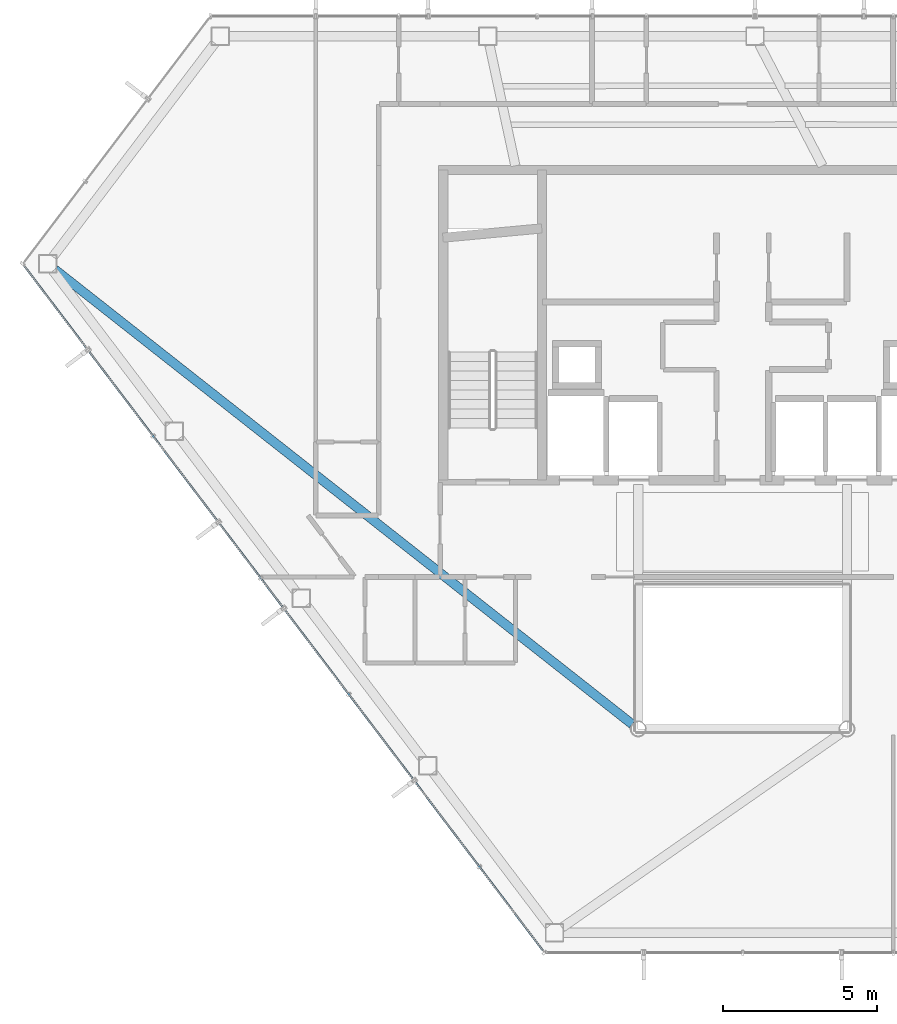
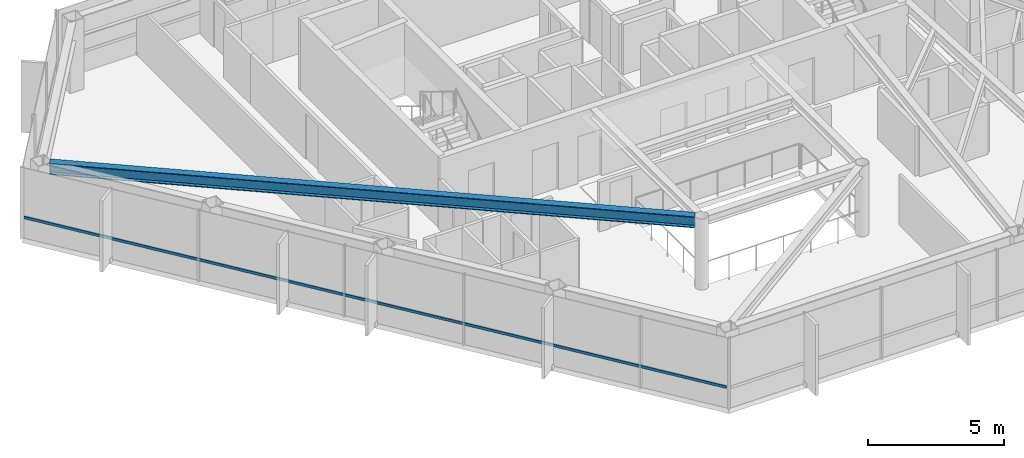
# One storey, part 4 of 25: 1 beam, 1 member, 1 element without a shape of its own.
"""IFC4 building model written with IfcOpenShell, lengths in metres."""

from ifc_helpers import new_model, si_unit, direction, frame, origin, origin_2d, place, context, subcontext, project, spatial, hollow_rectangle, i_section, extrude, material, layer, layer_set, material_profile, profile_set, type_object, element, aggregate, save


model = new_model("IFC4")

# Units and contexts
model_context = context("Model", 3, precision=1e-05, world=origin(), true_north=direction((0.0, 1.0)))
body_context = subcontext(model_context, "Body", "Model", "MODEL_VIEW")
ifc_project = project(units=[si_unit("LENGTHUNIT", "METRE"), si_unit("AREAUNIT", "SQUARE_METRE"), si_unit("VOLUMEUNIT", "CUBIC_METRE"), si_unit("PLANEANGLEUNIT", "RADIAN"), si_unit("MASSUNIT", "GRAM", prefix="KILO")], contexts=[model_context])

# Site, building, storey
site_placement = place(None, origin())
site = spatial("IfcSite", under=ifc_project, at=site_placement, CompositionType="ELEMENT")
building_placement = place(site_placement, origin())
building = spatial("IfcBuilding", under=site, at=building_placement, Name="Zarrinselat Tower", CompositionType="ELEMENT")
storey_placement = place(building_placement, frame((0.0, 0.0, 212.159912109375)))
storey = spatial("IfcBuildingStorey", under=building, at=storey_placement, Name="L52", CompositionType="ELEMENT", Elevation=212.159912109375)

# Beam
ifc_material_1 = material(Name="Steel S355J2", Category="steel")
ifc_material_profile_1 = material_profile(ifc_material_1, i_section(OverallWidth=0.300048828125, OverallDepth=0.5, WebThickness=0.014404296875, FlangeThickness=0.028076171875, at=origin_2d()), Name="HEB 500")
ifc_profile_set_1 = profile_set([ifc_material_profile_1], Name="Steel S355J2")
beam_type = type_object("IfcBeamType", Name="BM-HEB500", PredefinedType="BEAM", material=ifc_profile_set_1)
beam_placement = place(storey_placement, frame((16.00634765625, 40.16015625, 2.93017578125), z_axis=(0.785585602039, -0.618752989382, 0.0), x_axis=(0.618752989382, 0.785585602039, 0.0)))
element("IfcBeam", 1, at=beam_placement, inside=storey, type_object=beam_type, Name="L52 Radial Primary Girder RG06", PredefinedType="BEAM", context=body_context, shape_type="SweptSolid", body=[
    extrude(i_section(OverallWidth=0.300048828125, OverallDepth=0.5, WebThickness=0.014404296875, FlangeThickness=0.028076171875, at=origin_2d()), origin(), (0.0, 0.0, 1.0), 23.927734375),
])

# Curtain wall, member
ifc_material_2 = material(Name="Extruded Aluminium Alloy EN AW-6063 T6", Category="aluminium")
ifc_layer = layer(ifc_material_2, 0.169921875)
ifc_layer_set = layer_set([ifc_layer], Name="Extruded Aluminium Alloy EN AW-6063 T6")
curtain_wall_type = type_object("IfcCurtainWallType", Name="CWS-RES", PredefinedType="NOTDEFINED", material=ifc_layer_set)
curtain_wall_placement = place(storey_placement, origin())
curtain_wall = element("IfcCurtainWall", 2, at=curtain_wall_placement, inside=storey, type_object=curtain_wall_type, Name="L52 Unitised Curtain Wall CW-L52-E03", PredefinedType="NOTDEFINED")
ifc_material_3 = material(Name="Extruded Aluminium Alloy EN AW-6063 T6", Category="aluminium")
ifc_material_profile_2 = material_profile(ifc_material_3, hollow_rectangle(XDim=0.06005859375, YDim=0.1201171875, WallThickness=0.00390625, at=origin_2d()), Name="RHS 120x60x4")
ifc_profile_set_2 = profile_set([ifc_material_profile_2], Name="Extruded Aluminium Alloy EN AW-6063 T6")
member_type = type_object("IfcMemberType", Name="MEM-CW-TRN2", PredefinedType="USERDEFINED", material=ifc_profile_set_2)
member_placement = place(storey_placement, frame((15.0078125, 40.275390625, 0.9501953125), z_axis=(0.603860377036, -0.797090110995, 0.0), x_axis=(0.797090110995, 0.603860377036, 0.0)))
member = element("IfcMember", 3, at=member_placement, type_object=member_type, Name="CW-L52-E03 Transom 1", ObjectType="TRANSOM", PredefinedType="USERDEFINED", context=body_context, shape_type="SweptSolid", body=[
    extrude(hollow_rectangle(XDim=0.06005859375, YDim=0.1201171875, WallThickness=0.00390625, at=origin_2d()), origin(), (0.0, 0.0, 1.0), 27.96826171875),
])
aggregate(curtain_wall, [member])

save(model, "model.ifc")
